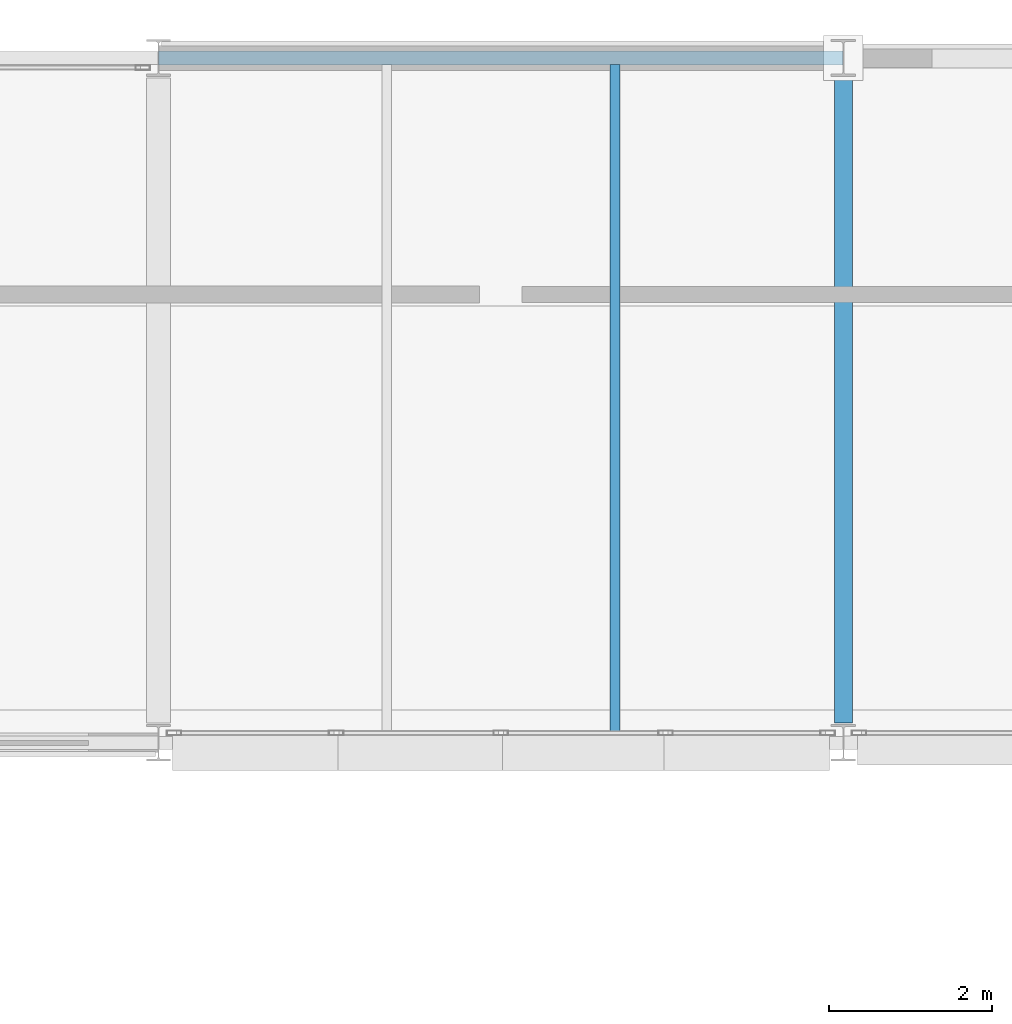
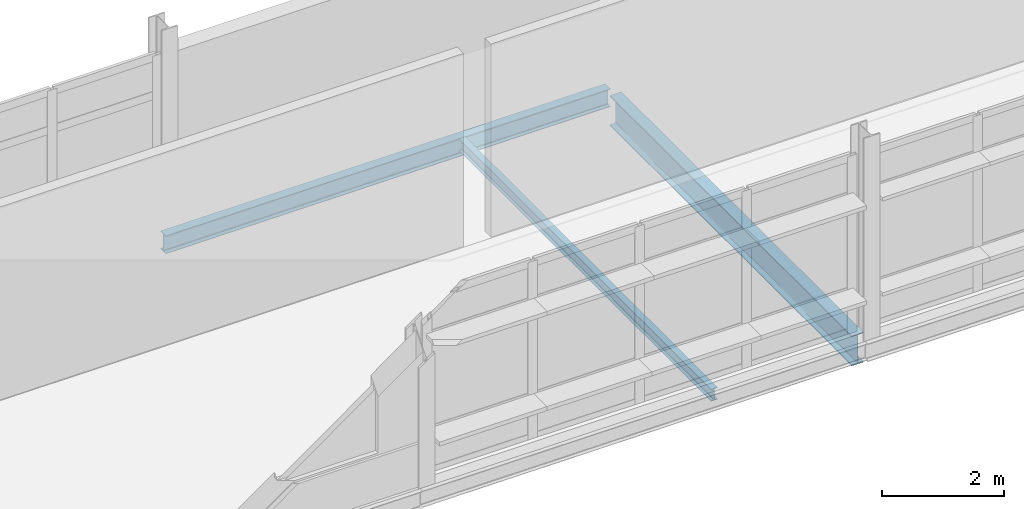
# One storey, part 59 of 103: 3 beams.
"""IFC4 building model written with IfcOpenShell, lengths in metres."""

from ifc_helpers import new_model, si_unit, direction, frame, origin, origin_2d, place, context, subcontext, project, spatial, i_section, extrude, material, material_profile, profile_set, type_object, element, save


model = new_model("IFC4")

# Units and contexts
model_context = context("Model", 3, precision=1e-05, world=origin(), true_north=direction((0.0, 1.0)))
body_context = subcontext(model_context, "Body", "Model", "MODEL_VIEW")
ifc_project = project(units=[si_unit("LENGTHUNIT", "METRE"), si_unit("AREAUNIT", "SQUARE_METRE"), si_unit("VOLUMEUNIT", "CUBIC_METRE"), si_unit("PLANEANGLEUNIT", "RADIAN"), si_unit("MASSUNIT", "GRAM", prefix="KILO")], contexts=[model_context])

# Site, building, storey
site_placement = place(None, origin())
site = spatial("IfcSite", under=ifc_project, at=site_placement, CompositionType="ELEMENT")
building_placement = place(site_placement, origin())
building = spatial("IfcBuilding", under=site, at=building_placement, Name="Mersafa Astral City Hall", CompositionType="ELEMENT")
storey_placement = place(building_placement, frame((0.0, 0.0, 18.0)))
storey = spatial("IfcBuildingStorey", under=building, at=storey_placement, Name="L04", CompositionType="ELEMENT", Elevation=18.0)

# Beams
ifc_material = material(Name="Steel S355", Category="steel")
ifc_material_profile_1 = material_profile(ifc_material, i_section(OverallWidth=0.219970703125, OverallDepth=0.60009765625, WebThickness=0.011962890625, FlangeThickness=0.01904296875, FilletRadius=0.02392578125, at=origin_2d()), Name="IPE 600")
ifc_profile_set_1 = profile_set([ifc_material_profile_1], Name="Steel S355")
beam_type_1 = type_object("IfcBeamType", Name="STR-BM-IPE600", PredefinedType="BEAM", material=ifc_profile_set_1)
beam_1_placement = place(storey_placement, frame((134.39990234375, 117.844970703125, -0.485107421875), z_axis=(0.0, 1.0, 0.0), x_axis=(-1.0, 0.0, 0.0)))
element("IfcBeam", 1, at=beam_1_placement, inside=storey, type_object=beam_type_1, Name="L04 Primary girder Y 16-14", PredefinedType="BEAM", context=body_context, shape_type="SweptSolid", body=[
    extrude(i_section(OverallWidth=0.219970703125, OverallDepth=0.60009765625, WebThickness=0.011962890625, FlangeThickness=0.01904296875, FilletRadius=0.02392578125, at=origin_2d()), origin(), (0.0, 0.0, 1.0), 7.909912109375),
])
ifc_material_profile_2 = material_profile(ifc_material, i_section(OverallWidth=0.1201171875, OverallDepth=0.239990234375, WebThickness=0.006103515625, FlangeThickness=0.009765625, FilletRadius=0.014892578125, at=origin_2d()), Name="IPE 240")
ifc_profile_set_2 = profile_set([ifc_material_profile_2], Name="Steel S355")
beam_type_2 = type_object("IfcBeamType", Name="STR-BM-JOIST-IPE240", PredefinedType="JOIST", material=ifc_profile_set_2)
beam_2_placement = place(storey_placement, frame((131.60009765625, 117.675048828125, -0.304931640625), z_axis=(0.0, 1.0, 0.0), x_axis=(-1.0, 0.0, 0.0)))
element("IfcBeam", 2, at=beam_2_placement, inside=storey, type_object=beam_type_2, Name="L04 Composite secondary floor joist 749", PredefinedType="JOIST", context=body_context, shape_type="SweptSolid", body=[
    extrude(i_section(OverallWidth=0.1201171875, OverallDepth=0.239990234375, WebThickness=0.006103515625, FlangeThickness=0.009765625, FilletRadius=0.014892578125, at=origin_2d()), origin(), (0.0, 0.0, 1.0), 8.244873046875),
])
ifc_material_profile_3 = material_profile(ifc_material, i_section(OverallWidth=0.169921875, OverallDepth=0.360107421875, WebThickness=0.008056640625, FlangeThickness=0.0126953125, FilletRadius=0.01806640625, at=origin_2d()), Name="IPE 360")
ifc_profile_set_3 = profile_set([ifc_material_profile_3], Name="Steel S355")
beam_type_3 = type_object("IfcBeamType", Name="STR-BM-SPANDREL-IPE360", PredefinedType="SPANDREL", material=ifc_profile_set_3)
beam_3_placement = place(storey_placement, frame((126.0029296875, 126.0, -0.364990234375), z_axis=(1.0, 0.0, 0.0), x_axis=(0.0, 1.0, 0.0)))
element("IfcBeam", 3, at=beam_3_placement, inside=storey, type_object=beam_type_3, Name="L04 Primary girder X 15-15", PredefinedType="SPANDREL", context=body_context, shape_type="SweptSolid", body=[
    extrude(i_section(OverallWidth=0.169921875, OverallDepth=0.360107421875, WebThickness=0.008056640625, FlangeThickness=0.0126953125, FilletRadius=0.01806640625, at=origin_2d()), origin(), (0.0, 0.0, 1.0), 8.39404296875),
])

save(model, "model.ifc")
